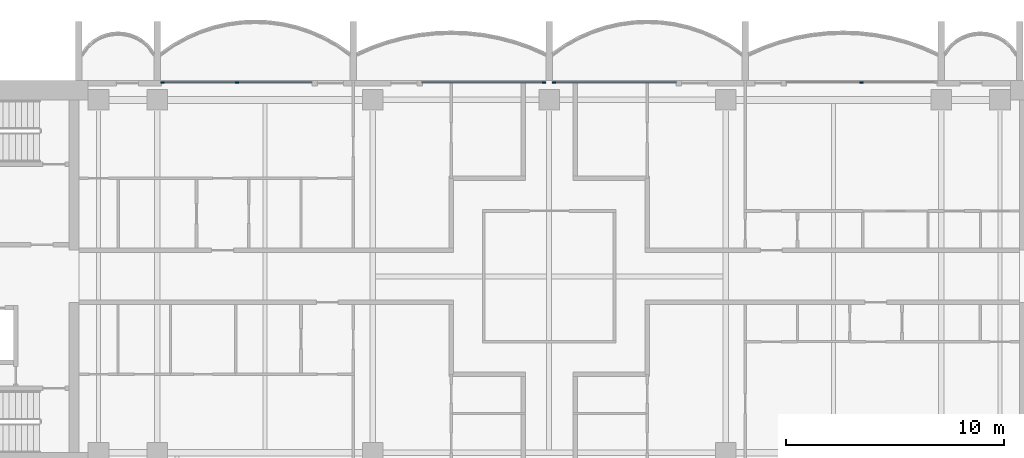
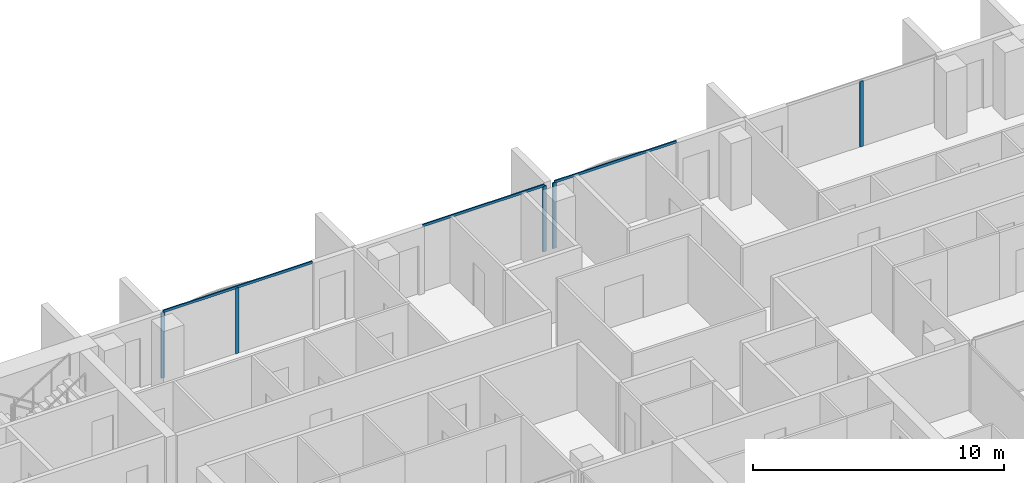
# One storey, part 5 of 17: 8 members, 4 elements without a shape of their own.
"""IFC4 building model written with IfcOpenShell, lengths in metres."""

import ifcopenshell
import ifcopenshell.guid

model = None  # the IFC model being written
_history = None  # IfcOwnerHistory: only IFC2X3 demands one
_inside = {}  # id of a spatial element -> (the spatial element, [elements in it])
_under = {}  # id of a project, library or spatial element -> (it, [spatial elements below it])
_declared = {}  # id of a project -> (the project, [libraries it declares])
_typed = {}  # id of a type object -> (the type object, [elements of that type])
_made_of = {}  # id of a material, layer set ... -> (it, [elements and type objects made of it])


def new_model(schema):
    """Start an empty IFC model of exactly this schema.

    Asked for "IFC4X3", IfcOpenShell would pick the latest addendum, in which some entities
    have other attributes; the version numbers below select the first issue.
    IFC2X3 requires an IfcOwnerHistory on every rooted entity: one is made here for all.
    """
    global model, _history
    if schema == "IFC4X3":
        model = ifcopenshell.file(schema_version=(4, 3, 0, 0))
    else:
        model = ifcopenshell.file(schema=schema)
    _inside.clear()
    _under.clear()
    _declared.clear()
    _typed.clear()
    _made_of.clear()
    _history = None
    if model.schema == "IFC2X3":
        org = make("IfcOrganization", Name="unknown")
        user = make(
            "IfcPersonAndOrganization",
            ThePerson=make("IfcPerson", FamilyName="unknown"),
            TheOrganization=org,
        )
        app = make(
            "IfcApplication",
            ApplicationDeveloper=org,
            Version="unknown",
            ApplicationFullName="unknown",
            ApplicationIdentifier="unknown",
        )
        _history = make(
            "IfcOwnerHistory",
            OwningUser=user,
            OwningApplication=app,
            ChangeAction="ADDED",
            CreationDate=0,
        )
    return model


def make(cls, **values):
    """One entity of the class cls with the attributes given. An attribute that is None is left unset."""
    return model.create_entity(
        cls, **{name: value for name, value in values.items() if value is not None}
    )


def rooted(cls, **values):
    """An entity with a GlobalId (a new one), such as an element, a storey or a relation."""
    return make(cls, GlobalId=ifcopenshell.guid.new(), OwnerHistory=_history, **values)


def si_unit(unit_type, name, prefix=None):
    """IfcSIUnit, for example si_unit("LENGTHUNIT", "METRE", prefix="MILLI")."""
    return make("IfcSIUnit", UnitType=unit_type, Prefix=prefix, Name=name)


def assignment(units):
    """IfcUnitAssignment: the units of a project."""
    return None if units is None else make("IfcUnitAssignment", Units=units)


def point(xyz):
    """IfcCartesianPoint."""
    return None if xyz is None else make("IfcCartesianPoint", Coordinates=xyz)


def direction(xyz):
    """IfcDirection."""
    return None if xyz is None else make("IfcDirection", DirectionRatios=xyz)


def frame(location, z_axis=None, x_axis=None):
    """IfcAxis2Placement3D, a coordinate frame: its origin and axes. An axis left out is left unset."""
    return make(
        "IfcAxis2Placement3D",
        Location=point(location),
        Axis=direction(z_axis),
        RefDirection=direction(x_axis),
    )


def frame_2d(location, x_axis=None):
    """IfcAxis2Placement2D, a coordinate frame in the plane: its origin and x axis."""
    return make(
        "IfcAxis2Placement2D", Location=point(location), RefDirection=direction(x_axis)
    )


def origin():
    """The frame at (0, 0, 0) with its axes left unset."""
    return frame((0.0, 0.0, 0.0))


def origin_2d():
    """The frame at (0, 0) in the plane with its x axis left unset."""
    return frame_2d((0.0, 0.0))


def place(relative_to, where):
    """IfcLocalPlacement: puts the frame where relative to a parent placement (None: the world)."""
    return make(
        "IfcLocalPlacement", PlacementRelTo=relative_to, RelativePlacement=where
    )


def context(
    kind, dimensions, precision=None, world=None, true_north=None, identifier=None
):
    """IfcGeometricRepresentationContext, for example the 3D "Model" context."""
    return make(
        "IfcGeometricRepresentationContext",
        ContextIdentifier=identifier,
        ContextType=kind,
        CoordinateSpaceDimension=dimensions,
        Precision=precision,
        WorldCoordinateSystem=world,
        TrueNorth=true_north,
    )


def subcontext(parent, identifier, kind, view, scale=None):
    """IfcGeometricRepresentationSubContext, for example "Body" below "Model"."""
    return make(
        "IfcGeometricRepresentationSubContext",
        ContextIdentifier=identifier,
        ContextType=kind,
        ParentContext=parent,
        TargetScale=scale,
        TargetView=view,
    )


def project(units=None, contexts=None):
    """IfcProject with its units and contexts."""
    return rooted(
        "IfcProject",
        Name="project",
        RepresentationContexts=contexts,
        UnitsInContext=assignment(units),
    )


def spatial(cls, under=None, at=None, **own):
    """A site, building, storey or space (cls), placed at a placement, below another one or the project."""
    s = rooted(cls, ObjectPlacement=at, **own)
    if under is not None:
        _under.setdefault(under.id(), (under, []))[1].append(s)
    return s


def profile(cls, at=None, kind="AREA", **sizes):
    """A parametric profile (cls). Its sizes go by their IFC names, for example OverallWidth=200.0."""
    return make(cls, ProfileType=kind, Position=at, **sizes)


def rectangle(**sizes):
    """IfcRectangleProfileDef."""
    return profile("IfcRectangleProfileDef", **sizes)


def extrude(swept, where, along, depth):
    """IfcExtrudedAreaSolid: the profile swept, set in the frame where, extruded along a direction by depth."""
    return make(
        "IfcExtrudedAreaSolid",
        SweptArea=swept,
        Position=where,
        ExtrudedDirection=direction(along),
        Depth=depth,
    )


def shape(context_of_items, identifier, shape_type, items):
    """IfcShapeRepresentation: the items that make up one representation, for example the "Body"."""
    return make(
        "IfcShapeRepresentation",
        ContextOfItems=context_of_items,
        RepresentationIdentifier=identifier,
        RepresentationType=shape_type,
        Items=items,
    )


def material(Name=None, Category=None):
    """IfcMaterial."""
    return make("IfcMaterial", Name=Name, Category=Category)


def material_profile(
    of_material, cross_section, Name=None, Category=None, Priority=None
):
    """IfcMaterialProfile: a cross section and its material."""
    return make(
        "IfcMaterialProfile",
        Name=Name,
        Material=of_material,
        Profile=cross_section,
        Priority=Priority,
        Category=Category,
    )


def profile_set(profiles, Name=None, composite=None):
    """IfcMaterialProfileSet."""
    return make(
        "IfcMaterialProfileSet",
        Name=Name,
        MaterialProfiles=profiles,
        CompositeProfile=composite,
    )


def made_of(thing, what):
    """Note that an element or type object is made of a material, layer set ...; save() writes the relation."""
    if what is not None:
        _made_of.setdefault(what.id(), (what, []))[1].append(thing)
    return thing


def type_object(cls, material=None, **own):
    """A type object (cls), such as IfcWallType, which elements share."""
    return made_of(rooted(cls, **own), material)


def element(
    cls,
    number,
    at=None,
    inside=None,
    cuts=None,
    type_object=None,
    material=None,
    context=None,
    identifier="Body",
    shape_type=None,
    held_by="IfcProductDefinitionShape",
    body=None,
    shapes=None,
    **own,
):
    """One element of the class cls, such as IfcWall. Its Tag is "e" and its number.

    at: its placement. inside: the storey or other place that contains it. cuts: it is an
    opening in that element (IfcRelVoidsElement). A single representation is given by context,
    identifier, shape_type and body (its items); several are given by shapes. held_by: the class
    of the entity that holds the representations. save() writes the other relations.
    """
    e = rooted(cls, Tag="e%d" % number, ObjectPlacement=at, **own)
    if body is not None:
        shapes = [shape(context, identifier, shape_type, body)]
    if shapes is not None:
        e.Representation = make(held_by, Representations=shapes)
    if inside is not None:
        _inside.setdefault(inside.id(), (inside, []))[1].append(e)
    if cuts is not None:
        rooted(
            "IfcRelVoidsElement", RelatingBuildingElement=cuts, RelatedOpeningElement=e
        )
    if type_object is not None:
        _typed.setdefault(type_object.id(), (type_object, []))[1].append(e)
    return made_of(e, material)


def aggregate(whole, parts):
    """IfcRelAggregates: a whole, such as a stair, and the parts it consists of."""
    return rooted("IfcRelAggregates", RelatingObject=whole, RelatedObjects=parts)


def save(model, path):
    """Write the relations noted so far, then the file.

    IfcRelAggregates (storeys below a building ...), IfcRelContainedInSpatialStructure (elements
    in a storey), IfcRelDefinesByType, IfcRelAssociatesMaterial and IfcRelDeclares: one each for
    every whole, place, type object, material and project.
    """
    for whole, parts in _under.values():
        aggregate(whole, parts)
    for where, things in _inside.values():
        rooted(
            "IfcRelContainedInSpatialStructure",
            RelatedElements=things,
            RelatingStructure=where,
        )
    for kind, things in _typed.values():
        rooted("IfcRelDefinesByType", RelatedObjects=things, RelatingType=kind)
    for what, things in _made_of.values():
        rooted("IfcRelAssociatesMaterial", RelatedObjects=things, RelatingMaterial=what)
    for by, libraries in _declared.values():
        rooted("IfcRelDeclares", RelatingContext=by, RelatedDefinitions=libraries)
    model.write(path)


model = new_model("IFC4")

# Units and contexts
model_context = context("Model", 3, precision=1e-05, world=origin(), true_north=direction((0.0, 1.0)))
body_context = subcontext(model_context, "Body", "Model", "MODEL_VIEW")
ifc_project = project(units=[si_unit("LENGTHUNIT", "METRE"), si_unit("AREAUNIT", "SQUARE_METRE"), si_unit("VOLUMEUNIT", "CUBIC_METRE"), si_unit("PLANEANGLEUNIT", "RADIAN"), si_unit("MASSUNIT", "GRAM", prefix="KILO")], contexts=[model_context])

# Site, building, storey
site_placement = place(None, origin())
site = spatial("IfcSite", under=ifc_project, at=site_placement, CompositionType="ELEMENT")
building_placement = place(site_placement, origin())
building = spatial("IfcBuilding", under=site, at=building_placement, Name="Perihelion Cross Residences", CompositionType="ELEMENT")
storey_placement = place(building_placement, frame((0.0, 0.0, 191.10009765625)))
storey = spatial("IfcBuildingStorey", under=building, at=storey_placement, Name="L47", CompositionType="ELEMENT", Elevation=191.10009765625)

# Curtain wall, member
ifc_material_1 = material(Name="Bronze anodised aluminium, tinted glazing", Category="aluminium")
curtain_wall_type = type_object("IfcCurtainWallType", Name="CW1", PredefinedType="NOTDEFINED", material=ifc_material_1)
curtain_wall_1_placement = place(storey_placement, origin())
curtain_wall_1 = element("IfcCurtainWall", 1, at=curtain_wall_1_placement, inside=storey, type_object=curtain_wall_type, Name="Curtain wall CW1 L47 east side north bay 2", PredefinedType="NOTDEFINED")
ifc_material_2 = material(Name="Bronze anodised aluminium", Category="aluminium")
ifc_material_profile_1 = material_profile(ifc_material_2, rectangle(XDim=0.06005859375, YDim=0.159912109375, at=origin_2d()), Name="CW1 mullion")
ifc_profile_set_1 = profile_set([ifc_material_profile_1], Name="Bronze anodised aluminium")
member_type_1 = type_object("IfcMemberType", Name="CW1 mullion", PredefinedType="MULLION", material=ifc_profile_set_1)
member_1_placement = place(storey_placement, frame((14.35009765625, 8.89990234375, 0.0), z_axis=(0.0, 0.0, 1.0), x_axis=(0.0, -1.0, 0.0)))
member_1 = element("IfcMember", 2, at=member_1_placement, type_object=member_type_1, Name="CW1 mullion 2", PredefinedType="MULLION", context=body_context, shape_type="SweptSolid", body=[
    extrude(rectangle(XDim=0.06005859375, YDim=0.159912109375, at=origin_2d()), origin(), (0.0, 0.0, 1.0), 3.18994140625),
])
aggregate(curtain_wall_1, [member_1])

curtain_wall_2_placement = place(storey_placement, origin())
curtain_wall_2 = element("IfcCurtainWall", 3, at=curtain_wall_2_placement, inside=storey, type_object=curtain_wall_type, Name="Curtain wall CW1 L47 north side east bay 1", PredefinedType="NOTDEFINED")
member_2_placement = place(storey_placement, frame((0.22998046875, 8.89990234375, 0.0), z_axis=(0.0, 0.0, 1.0), x_axis=(0.0, -1.0, 0.0)))
member_2 = element("IfcMember", 4, at=member_2_placement, type_object=member_type_1, Name="CW1 mullion 2", PredefinedType="MULLION", context=body_context, shape_type="SweptSolid", body=[
    extrude(rectangle(XDim=0.06005859375, YDim=0.159912109375, at=origin_2d()), origin(), (0.0, 0.0, 1.0), 3.18994140625),
])

curtain_wall_3_placement = place(storey_placement, origin())
curtain_wall_3 = element("IfcCurtainWall", 5, at=curtain_wall_3_placement, inside=storey, type_object=curtain_wall_type, Name="Curtain wall CW1 L47 north side east bay 2", PredefinedType="NOTDEFINED")
member_3_placement = place(storey_placement, frame((-0.22998046875, 8.89990234375, 0.0), z_axis=(0.0, 0.0, 1.0), x_axis=(0.0, -1.0, 0.0)))
member_3 = element("IfcMember", 6, at=member_3_placement, type_object=member_type_1, Name="CW1 mullion 1", PredefinedType="MULLION", context=body_context, shape_type="SweptSolid", body=[
    extrude(rectangle(XDim=0.06005859375, YDim=0.159912109375, at=origin_2d()), origin(), (0.0, 0.0, 1.0), 3.18994140625),
])

# Curtain wall, members
curtain_wall_4_placement = place(storey_placement, origin())
curtain_wall_4 = element("IfcCurtainWall", 7, at=curtain_wall_4_placement, inside=storey, type_object=curtain_wall_type, Name="Curtain wall CW1 L47 west side north bay 1", PredefinedType="NOTDEFINED")
member_4_placement = place(storey_placement, frame((-14.35009765625, 8.89990234375, 0.0), z_axis=(0.0, 0.0, 1.0), x_axis=(0.0, -1.0, 0.0)))
member_4 = element("IfcMember", 8, at=member_4_placement, type_object=member_type_1, Name="CW1 mullion 2", PredefinedType="MULLION", context=body_context, shape_type="SweptSolid", body=[
    extrude(rectangle(XDim=0.06005859375, YDim=0.159912109375, at=origin_2d()), origin(), (0.0, 0.0, 1.0), 3.18994140625),
])
member_5_placement = place(storey_placement, frame((-17.77001953125, 8.89990234375, 0.0), z_axis=(0.0, 0.0, 1.0), x_axis=(0.0, -1.0, 0.0)))
member_5 = element("IfcMember", 9, at=member_5_placement, type_object=member_type_1, Name="CW1 mullion 3", PredefinedType="MULLION", context=body_context, shape_type="SweptSolid", body=[
    extrude(rectangle(XDim=0.06005859375, YDim=0.159912109375, at=origin_2d()), origin(), (0.0, 0.0, 1.0), 3.18994140625),
])

# Member
ifc_material_3 = material(Name="Bronze anodised aluminium", Category="aluminium")
ifc_material_profile_2 = material_profile(ifc_material_3, rectangle(XDim=0.06005859375, YDim=0.1201171875, at=origin_2d()), Name="CW1 transom")
ifc_profile_set_2 = profile_set([ifc_material_profile_2], Name="Bronze anodised aluminium")
member_type_2 = type_object("IfcMemberType", Name="CW1 transom", PredefinedType="USERDEFINED", material=ifc_profile_set_2)
member_6_placement = place(storey_placement, frame((5.824951171875, 8.89990234375, 3.219970703125), z_axis=(-1.0, 0.0, 0.0), x_axis=(0.0, -1.0, 0.0)))
member_6 = element("IfcMember", 10, at=member_6_placement, type_object=member_type_2, Name="CW1 head transom", ObjectType="TRANSOM", PredefinedType="USERDEFINED", context=body_context, shape_type="SweptSolid", body=[
    extrude(rectangle(XDim=0.06005859375, YDim=0.1201171875, at=origin_2d()), origin(), (0.0, 0.0, 1.0), 5.594970703125),
])

aggregate(curtain_wall_2, [member_2, member_6])

member_7_placement = place(storey_placement, frame((-0.22998046875, 8.89990234375, 3.219970703125), z_axis=(-1.0, 0.0, 0.0), x_axis=(0.0, -1.0, 0.0)))
member_7 = element("IfcMember", 11, at=member_7_placement, type_object=member_type_2, Name="CW1 head transom", ObjectType="TRANSOM", PredefinedType="USERDEFINED", context=body_context, shape_type="SweptSolid", body=[
    extrude(rectangle(XDim=0.06005859375, YDim=0.1201171875, at=origin_2d()), origin(), (0.0, 0.0, 1.0), 5.594970703125),
])

aggregate(curtain_wall_3, [member_3, member_7])

member_8_placement = place(storey_placement, frame((-10.89990234375, 8.89990234375, 3.219970703125), z_axis=(-1.0, 0.0, 0.0), x_axis=(0.0, -1.0, 0.0)))
member_8 = element("IfcMember", 12, at=member_8_placement, type_object=member_type_2, Name="CW1 head transom", ObjectType="TRANSOM", PredefinedType="USERDEFINED", context=body_context, shape_type="SweptSolid", body=[
    extrude(rectangle(XDim=0.06005859375, YDim=0.1201171875, at=origin_2d()), origin(), (0.0, 0.0, 1.0), 6.8701171875),
])

aggregate(curtain_wall_4, [member_4, member_5, member_8])

save(model, "model.ifc")
